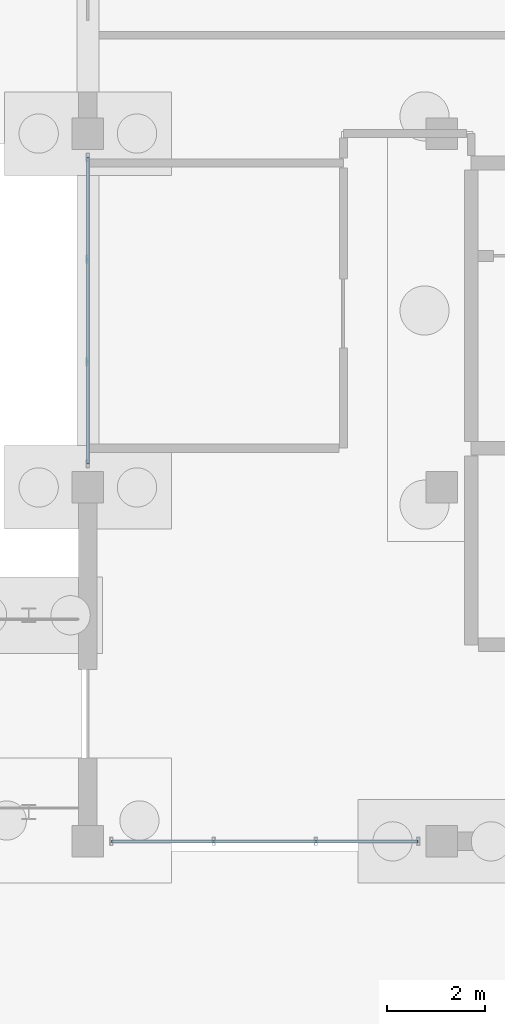
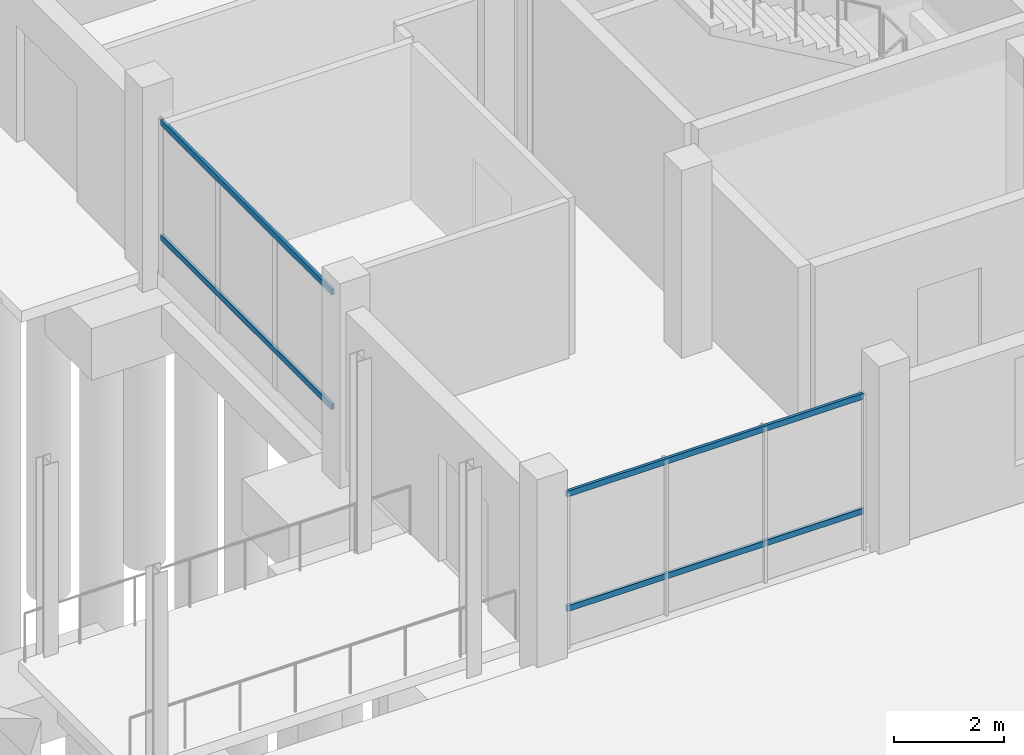
# One storey, part 51 of 98: 4 members, 2 elements without a shape of their own.
"""IFC4 building model written with IfcOpenShell, lengths in metres."""

from ifc_helpers import new_model, si_unit, direction, frame, origin, origin_2d, place, context, subcontext, project, spatial, hollow_rectangle, extrude, material, material_profile, profile_set, type_object, element, aggregate, save


model = new_model("IFC4")

# Units and contexts
model_context = context("Model", 3, precision=1e-05, world=origin(), true_north=direction((0.0, 1.0)))
body_context = subcontext(model_context, "Body", "Model", "MODEL_VIEW")
ifc_project = project(units=[si_unit("LENGTHUNIT", "METRE"), si_unit("AREAUNIT", "SQUARE_METRE"), si_unit("VOLUMEUNIT", "CUBIC_METRE"), si_unit("PLANEANGLEUNIT", "RADIAN"), si_unit("MASSUNIT", "GRAM", prefix="KILO")], contexts=[model_context])

# Site, building, storey
site_placement = place(None, origin())
site = spatial("IfcSite", under=ifc_project, at=site_placement, CompositionType="ELEMENT")
building_placement = place(site_placement, origin())
building = spatial("IfcBuilding", under=site, at=building_placement, Name="Zornivar Specialist Clinic", CompositionType="ELEMENT")
storey_placement = place(building_placement, origin())
storey = spatial("IfcBuildingStorey", under=building, at=storey_placement, Name="L00", CompositionType="ELEMENT", Elevation=0.0)

# Curtain wall, members
ifc_material_1 = material(Name="Aluminium and Low-E Glass Curtain Wall", Category="aluminium")
curtain_wall_type = type_object("IfcCurtainWallType", Name="CW-LAB-NORTH", PredefinedType="NOTDEFINED", material=ifc_material_1)
curtain_wall_1_placement = place(storey_placement, origin())
curtain_wall_1 = element("IfcCurtainWall", 1, at=curtain_wall_1_placement, inside=storey, type_object=curtain_wall_type, Name="cw:V6:L00:00", PredefinedType="NOTDEFINED")
ifc_material_2 = material(Name="Aluminium AW-6060", Category="aluminium")
ifc_material_profile = material_profile(ifc_material_2, hollow_rectangle(XDim=0.06005859375, YDim=0.1298828125, WallThickness=0.00390625, at=origin_2d()), Name="ALU 60x130x4")
ifc_profile_set = profile_set([ifc_material_profile], Name="Aluminium AW-6060")
member_type = type_object("IfcMemberType", Name="CWM-TRN-130", PredefinedType="USERDEFINED", material=ifc_profile_set)
member_1_placement = place(storey_placement, frame((137.280029296875, 64.800048828125, 0.85009765625), z_axis=(1.0, 0.0, 0.0), x_axis=(0.0, 1.0, 0.0)))
member_1 = element("IfcMember", 2, at=member_1_placement, type_object=member_type, Name="cw:V6:L00:00:trn:0", ObjectType="TRANSOM", PredefinedType="USERDEFINED", context=body_context, shape_type="SweptSolid", body=[
    extrude(hollow_rectangle(XDim=0.06005859375, YDim=0.1298828125, WallThickness=0.00390625, at=origin_2d()), origin(), (0.0, 0.0, 1.0), 6.239990234375),
])
member_2_placement = place(storey_placement, frame((137.280029296875, 64.800048828125, 3.405029296875), z_axis=(1.0, 0.0, 0.0), x_axis=(0.0, 1.0, 0.0)))
member_2 = element("IfcMember", 3, at=member_2_placement, type_object=member_type, Name="cw:V6:L00:00:trn:1", ObjectType="TRANSOM", PredefinedType="USERDEFINED", context=body_context, shape_type="SweptSolid", body=[
    extrude(hollow_rectangle(XDim=0.06005859375, YDim=0.1298828125, WallThickness=0.00390625, at=origin_2d()), origin(), (0.0, 0.0, 1.0), 6.239990234375),
])
aggregate(curtain_wall_1, [member_1, member_2])

curtain_wall_2_placement = place(storey_placement, origin())
curtain_wall_2 = element("IfcCurtainWall", 4, at=curtain_wall_2_placement, inside=storey, type_object=curtain_wall_type, Name="cw:V6:L00:20", PredefinedType="NOTDEFINED")
member_3_placement = place(storey_placement, frame((136.800048828125, 78.719970703125, 0.85009765625), z_axis=(0.0, -1.0, 0.0), x_axis=(1.0, 0.0, 0.0)))
member_3 = element("IfcMember", 5, at=member_3_placement, type_object=member_type, Name="cw:V6:L00:20:trn:0", ObjectType="TRANSOM", PredefinedType="USERDEFINED", context=body_context, shape_type="SweptSolid", body=[
    extrude(hollow_rectangle(XDim=0.06005859375, YDim=0.1298828125, WallThickness=0.00390625, at=origin_2d()), origin(), (0.0, 0.0, 1.0), 6.239990234375),
])
member_4_placement = place(storey_placement, frame((136.800048828125, 78.719970703125, 3.405029296875), z_axis=(0.0, -1.0, 0.0), x_axis=(1.0, 0.0, 0.0)))
member_4 = element("IfcMember", 6, at=member_4_placement, type_object=member_type, Name="cw:V6:L00:20:trn:1", ObjectType="TRANSOM", PredefinedType="USERDEFINED", context=body_context, shape_type="SweptSolid", body=[
    extrude(hollow_rectangle(XDim=0.06005859375, YDim=0.1298828125, WallThickness=0.00390625, at=origin_2d()), origin(), (0.0, 0.0, 1.0), 6.239990234375),
])
aggregate(curtain_wall_2, [member_3, member_4])

save(model, "model.ifc")
